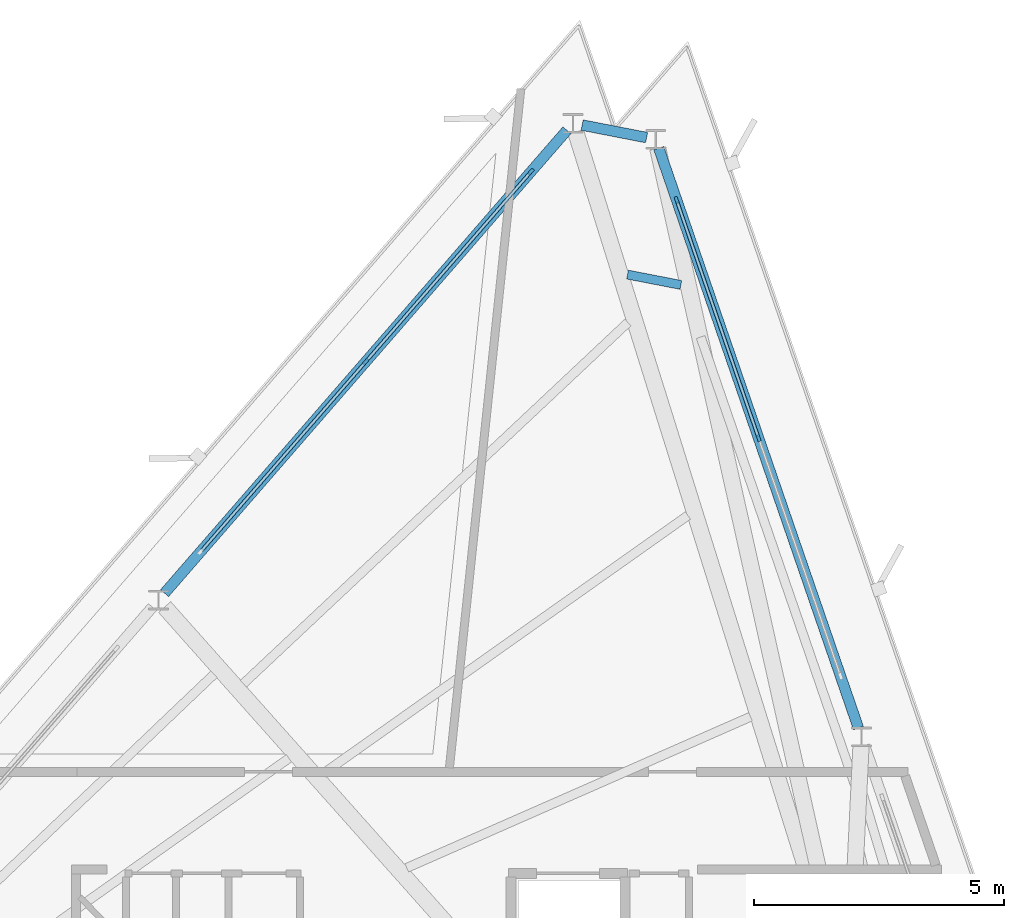
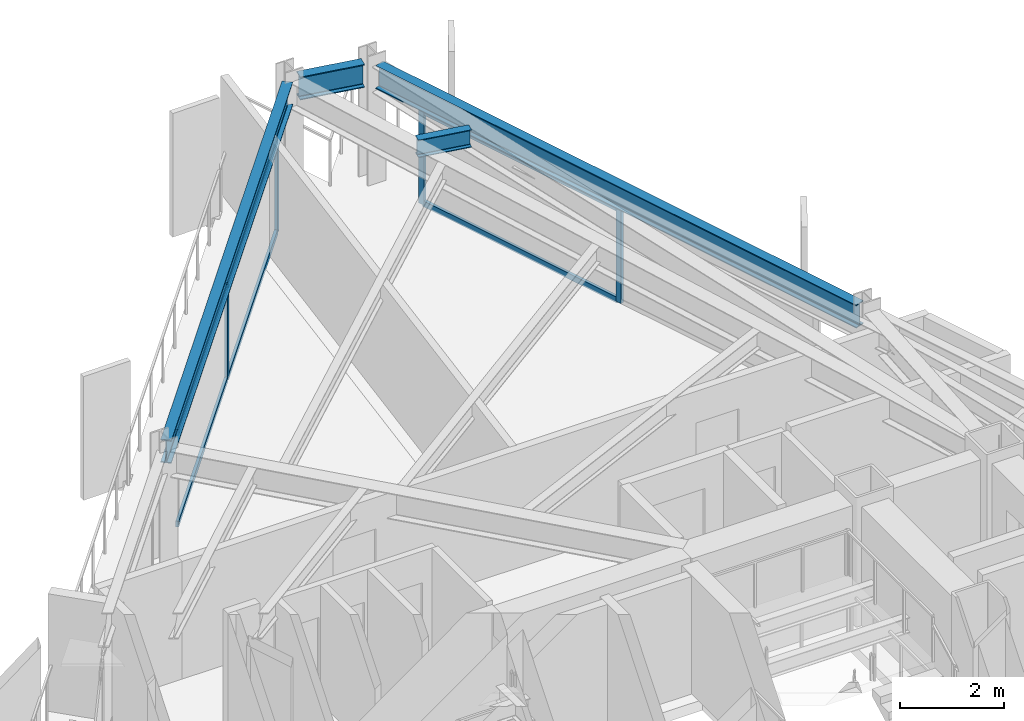
# One storey, part 7 of 13: 10 members, 4 beams, 2 elements without a shape of their own.
"""IFC4 building model written with IfcOpenShell, lengths in metres."""

from ifc_helpers import new_model, si_unit, direction, frame, origin, origin_2d, place, context, subcontext, project, spatial, rectangle, i_section, extrude, material, layer, layer_set, material_profile, profile_set, type_object, element, aggregate, save


model = new_model("IFC4")

# Units and contexts
model_context = context("Model", 3, precision=1e-05, world=origin(), true_north=direction((0.0, 1.0)))
body_context = subcontext(model_context, "Body", "Model", "MODEL_VIEW")
ifc_project = project(units=[si_unit("LENGTHUNIT", "METRE"), si_unit("AREAUNIT", "SQUARE_METRE"), si_unit("VOLUMEUNIT", "CUBIC_METRE"), si_unit("PLANEANGLEUNIT", "RADIAN"), si_unit("MASSUNIT", "GRAM", prefix="KILO")], contexts=[model_context])

# Site, building, storey
site_placement = place(None, origin())
site = spatial("IfcSite", under=ifc_project, at=site_placement, CompositionType="ELEMENT")
building_placement = place(site_placement, origin())
building = spatial("IfcBuilding", under=site, at=building_placement, Name="Rocaltana Carrier Exchange", CompositionType="ELEMENT")
storey_placement = place(building_placement, frame((0.0, 0.0, 165.43994140625)))
storey = spatial("IfcBuildingStorey", under=building, at=storey_placement, Name="L52", CompositionType="ELEMENT", Elevation=165.43994140625)

# Curtain wall, members
ifc_material_1 = material(Name="Aluminium 6063-T6", Category="aluminium")
ifc_layer = layer(ifc_material_1, 0.135009765625)
ifc_layer_set = layer_set([ifc_layer], Name="Aluminium 6063-T6")
curtain_wall_type = type_object("IfcCurtainWallType", Name="Upper-Mid Acoustic Curtain Wall CW-04", PredefinedType="NOTDEFINED", material=ifc_layer_set)
curtain_wall_1_placement = place(storey_placement, origin())
curtain_wall_1 = element("IfcCurtainWall", 1, at=curtain_wall_1_placement, inside=storey, type_object=curtain_wall_type, Name="L52 CW-04 Run CW-L52-F1S3", PredefinedType="NOTDEFINED")
ifc_material_2 = material(Name="Aluminium 6063-T6", Category="aluminium")
ifc_material_profile_1 = material_profile(ifc_material_2, rectangle(XDim=0.06494140625, YDim=0.135009765625, at=origin_2d()), Name="AL-65X135")
ifc_profile_set_1 = profile_set([ifc_material_profile_1], Name="Aluminium 6063-T6")
member_type_1 = type_object("IfcMemberType", Name="CW-04 Mullion AL-65X135", PredefinedType="MULLION", material=ifc_profile_set_1)
member_1_placement = place(storey_placement, frame((7.151611328125, 15.82373046875, 0.0), z_axis=(0.0, 0.0, 1.0), x_axis=(-0.945521800517, -0.325558788464, 0.0)))
member_1 = element("IfcMember", 2, at=member_1_placement, type_object=member_type_1, Name="CW-04 mullion 2", PredefinedType="MULLION", context=body_context, shape_type="SweptSolid", body=[
    extrude(rectangle(XDim=0.06494140625, YDim=0.135009765625, at=origin_2d()), origin(), (0.0, 0.0, 1.0), 2.218017578125),
])
member_2_placement = place(storey_placement, frame((5.5126953125, 20.583740234375, 0.0), z_axis=(0.0, 0.0, 1.0), x_axis=(-0.945521800517, -0.325558788464, 0.0)))
member_2 = element("IfcMember", 3, at=member_2_placement, type_object=member_type_1, Name="CW-04 mullion 3", PredefinedType="MULLION", context=body_context, shape_type="SweptSolid", body=[
    extrude(rectangle(XDim=0.06494140625, YDim=0.135009765625, at=origin_2d()), origin(), (0.0, 0.0, 1.0), 2.218017578125),
])

curtain_wall_2_placement = place(storey_placement, origin())
curtain_wall_2 = element("IfcCurtainWall", 4, at=curtain_wall_2_placement, inside=storey, type_object=curtain_wall_type, Name="L52 CW-04 Run CW-L52-F2S1", PredefinedType="NOTDEFINED")
member_3_placement = place(storey_placement, frame((2.599609375, 21.14990234375, 0.0), z_axis=(0.0, 0.0, 1.0), x_axis=(0.75471173919, -0.656056545375, 0.0)))
member_3 = element("IfcMember", 5, at=member_3_placement, type_object=member_type_1, Name="CW-04 mullion 1", PredefinedType="MULLION", context=body_context, shape_type="SweptSolid", body=[
    extrude(rectangle(XDim=0.06494140625, YDim=0.135009765625, at=origin_2d()), origin(), (0.0, 0.0, 1.0), 2.218017578125),
])
member_4_placement = place(storey_placement, frame((-0.703125, 17.3505859375, 0.0), z_axis=(0.0, 0.0, 1.0), x_axis=(0.75471173919, -0.656056545375, 0.0)))
member_4 = element("IfcMember", 6, at=member_4_placement, type_object=member_type_1, Name="CW-04 mullion 2", PredefinedType="MULLION", context=body_context, shape_type="SweptSolid", body=[
    extrude(rectangle(XDim=0.06494140625, YDim=0.135009765625, at=origin_2d()), origin(), (0.0, 0.0, 1.0), 2.218017578125),
])

# Member
ifc_material_3 = material(Name="Aluminium 6063-T6", Category="aluminium")
ifc_material_profile_2 = material_profile(ifc_material_3, rectangle(XDim=0.06494140625, YDim=0.135009765625, at=origin_2d()), Name="AL-65X135")
ifc_profile_set_2 = profile_set([ifc_material_profile_2], Name="Aluminium 6063-T6")
member_type_2 = type_object("IfcMemberType", Name="CW-04 Transom AL-65X135", PredefinedType="USERDEFINED", material=ifc_profile_set_2)
member_5_placement = place(storey_placement, frame((7.140869140625, 15.8544921875, 0.032470703125), z_axis=(-0.325542462737, 0.945527421578, 0.0), x_axis=(-0.945527421578, -0.325542462737, 0.0)))
member_5 = element("IfcMember", 7, at=member_5_placement, type_object=member_type_2, Name="CW-04 transom 2.1", ObjectType="TRANSOM", PredefinedType="USERDEFINED", context=body_context, shape_type="SweptSolid", body=[
    extrude(rectangle(XDim=0.06494140625, YDim=0.135009765625, at=origin_2d()), origin(), (0.0, 0.0, 1.0), 4.96923828125),
])

member_6_placement = place(storey_placement, frame((7.140869140625, 15.8544921875, 2.185546875), z_axis=(-0.325542462737, 0.945527421578, 0.0), x_axis=(-0.945527421578, -0.325542462737, 0.0)))
member_6 = element("IfcMember", 8, at=member_6_placement, type_object=member_type_2, Name="CW-04 transom 2.2", ObjectType="TRANSOM", PredefinedType="USERDEFINED", context=body_context, shape_type="SweptSolid", body=[
    extrude(rectangle(XDim=0.06494140625, YDim=0.135009765625, at=origin_2d()), origin(), (0.0, 0.0, 1.0), 4.96923828125),
])

aggregate(curtain_wall_1, [member_1, member_2, member_5, member_6])

member_7_placement = place(storey_placement, frame((2.578369140625, 21.125244140625, 0.032470703125), z_axis=(-0.656083834105, -0.75468801675, 0.0), x_axis=(0.75468801675, -0.656083834105, 0.0)))
member_7 = element("IfcMember", 9, at=member_7_placement, type_object=member_type_2, Name="CW-04 transom 1.1", ObjectType="TRANSOM", PredefinedType="USERDEFINED", context=body_context, shape_type="SweptSolid", body=[
    extrude(rectangle(XDim=0.06494140625, YDim=0.135009765625, at=origin_2d()), origin(), (0.0, 0.0, 1.0), 4.96923828125),
])

member_8_placement = place(storey_placement, frame((2.578369140625, 21.125244140625, 2.185546875), z_axis=(-0.656083834105, -0.75468801675, 0.0), x_axis=(0.75468801675, -0.656083834105, 0.0)))
member_8 = element("IfcMember", 10, at=member_8_placement, type_object=member_type_2, Name="CW-04 transom 1.2", ObjectType="TRANSOM", PredefinedType="USERDEFINED", context=body_context, shape_type="SweptSolid", body=[
    extrude(rectangle(XDim=0.06494140625, YDim=0.135009765625, at=origin_2d()), origin(), (0.0, 0.0, 1.0), 4.96923828125),
])

member_9_placement = place(storey_placement, frame((-0.724365234375, 17.325927734375, 0.032470703125), z_axis=(-0.656055850486, -0.754712343243, 0.0), x_axis=(0.754712343243, -0.656055850486, 0.0)))
member_9 = element("IfcMember", 11, at=member_9_placement, type_object=member_type_2, Name="CW-04 transom 2.1", ObjectType="TRANSOM", PredefinedType="USERDEFINED", context=body_context, shape_type="SweptSolid", body=[
    extrude(rectangle(XDim=0.06494140625, YDim=0.135009765625, at=origin_2d()), origin(), (0.0, 0.0, 1.0), 4.968994140625),
])

member_10_placement = place(storey_placement, frame((-0.724365234375, 17.325927734375, 2.185546875), z_axis=(-0.656055850486, -0.754712343243, 0.0), x_axis=(0.754712343243, -0.656055850486, 0.0)))
member_10 = element("IfcMember", 12, at=member_10_placement, type_object=member_type_2, Name="CW-04 transom 2.2", ObjectType="TRANSOM", PredefinedType="USERDEFINED", context=body_context, shape_type="SweptSolid", body=[
    extrude(rectangle(XDim=0.06494140625, YDim=0.135009765625, at=origin_2d()), origin(), (0.0, 0.0, 1.0), 4.968994140625),
])

aggregate(curtain_wall_2, [member_3, member_4, member_7, member_8, member_9, member_10])

# Beams
ifc_material_4 = material(Name="Steel S355", Category="steel")
ifc_material_profile_3 = material_profile(ifc_material_4, i_section(OverallWidth=0.179931640625, OverallDepth=0.4130859375, WebThickness=0.009765625, FlangeThickness=0.01611328125, FilletRadius=0.012939453125, at=origin_2d()), Name="W16X50")
ifc_profile_set_3 = profile_set([ifc_material_profile_3], Name="Steel S355")
beam_type_1 = type_object("IfcBeamType", Name="Floor Joist W16X50", PredefinedType="JOIST", material=ifc_profile_set_3)
beam_1_placement = place(storey_placement, frame((5.59716796875, 18.8857421875, 2.58154296875), z_axis=(-0.981629422322, 0.190797477004, 0.0), x_axis=(-0.190797477004, -0.981629422322, 0.0)))
element("IfcBeam", 13, at=beam_1_placement, inside=storey, type_object=beam_type_1, Name="FJ-L52-04-3", PredefinedType="JOIST", context=body_context, shape_type="SweptSolid", body=[
    extrude(i_section(OverallWidth=0.179931640625, OverallDepth=0.4130859375, WebThickness=0.009765625, FlangeThickness=0.01611328125, FilletRadius=0.012939453125, at=origin_2d()), origin(), (0.0, 0.0, 1.0), 1.08642578125),
])
ifc_material_5 = material(Name="Steel S355", Category="steel")
ifc_material_profile_4 = material_profile(ifc_material_5, i_section(OverallWidth=0.2119140625, OverallDepth=0.5439453125, WebThickness=0.01318359375, FlangeThickness=0.021240234375, FilletRadius=0.014892578125, at=origin_2d()), Name="W21X83")
ifc_profile_set_4 = profile_set([ifc_material_profile_4], Name="Steel S355")
beam_type_2 = type_object("IfcBeamType", Name="Spandrel Edge Beam W21X83", PredefinedType="SPANDREL", material=ifc_profile_set_4)
beam_2_placement = place(storey_placement, frame((9.147705078125, 10.026611328125, 2.51611328125), z_axis=(-0.325566047792, 0.94551930098, 0.0), x_axis=(-0.94551930098, -0.325566047792, 0.0)))
element("IfcBeam", 14, at=beam_2_placement, inside=storey, type_object=beam_type_2, Name="SP-L52-03", PredefinedType="SPANDREL", context=body_context, shape_type="SweptSolid", body=[
    extrude(i_section(OverallWidth=0.2119140625, OverallDepth=0.5439453125, WebThickness=0.01318359375, FlangeThickness=0.021240234375, FilletRadius=0.014892578125, at=origin_2d()), origin(), (0.0, 0.0, 1.0), 12.26220703125),
])
beam_3_placement = place(storey_placement, frame((4.912841796875, 21.831787109375, 2.51611328125), z_axis=(-0.981624091926, 0.190824899188, 0.0), x_axis=(-0.190824899188, -0.981624091926, 0.0)))
element("IfcBeam", 15, at=beam_3_placement, inside=storey, type_object=beam_type_2, Name="SP-L52-04", PredefinedType="SPANDREL", context=body_context, shape_type="SweptSolid", body=[
    extrude(i_section(OverallWidth=0.2119140625, OverallDepth=0.5439453125, WebThickness=0.01318359375, FlangeThickness=0.021240234375, FilletRadius=0.014892578125, at=origin_2d()), origin(), (0.0, 0.0, 1.0), 1.31396484375),
])
beam_4_placement = place(storey_placement, frame((3.3193359375, 21.977783203125, 2.51611328125), z_axis=(-0.65606829307, -0.754701526982, 0.0), x_axis=(0.754701526982, -0.65606829307, 0.0)))
element("IfcBeam", 16, at=beam_4_placement, inside=storey, type_object=beam_type_2, Name="SP-L52-05", PredefinedType="SPANDREL", context=body_context, shape_type="SweptSolid", body=[
    extrude(i_section(OverallWidth=0.2119140625, OverallDepth=0.5439453125, WebThickness=0.01318359375, FlangeThickness=0.021240234375, FilletRadius=0.014892578125, at=origin_2d()), origin(), (0.0, 0.0, 1.0), 12.26220703125),
])

save(model, "model.ifc")
